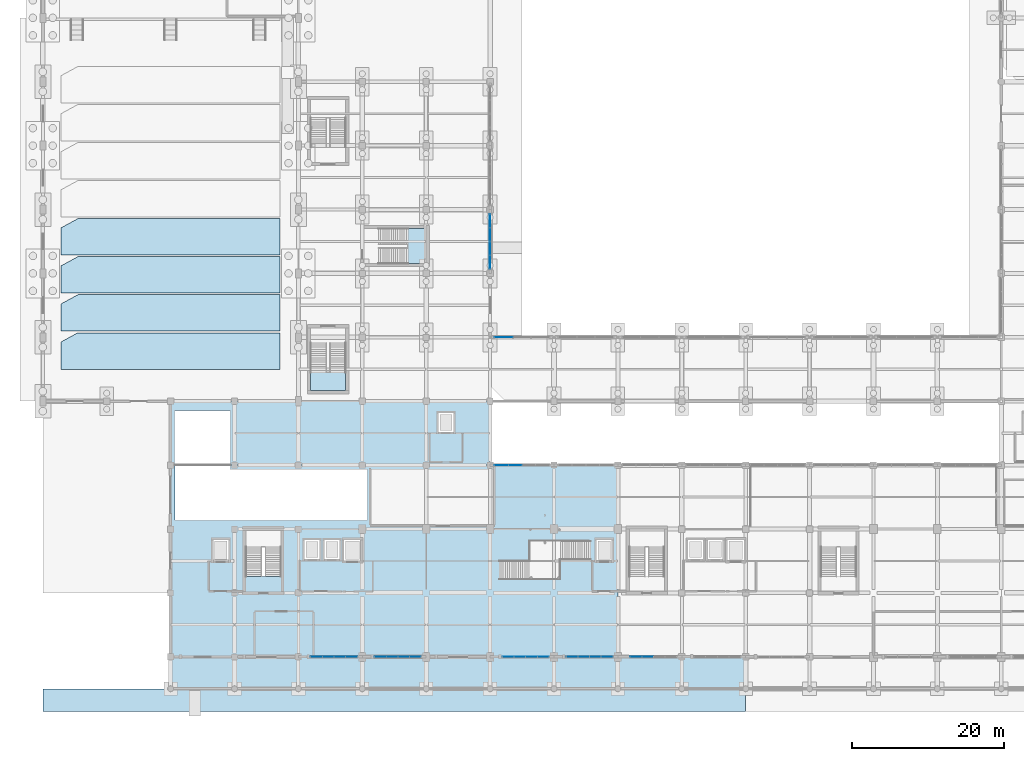
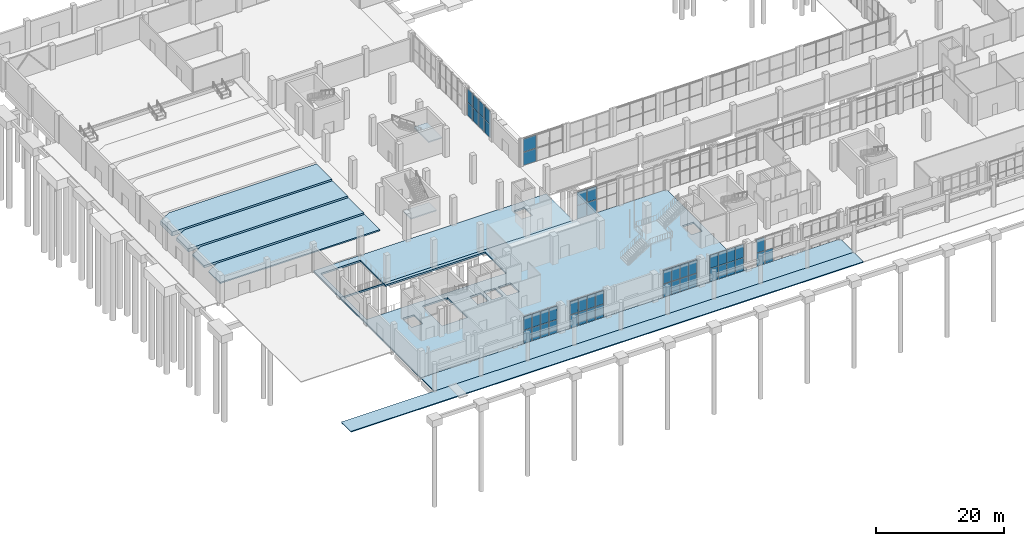
# One storey, part 54 of 82: 49 plates, 10 slabs, 10 elements without a shape of their own.
"""IFC4 building model written with IfcOpenShell, lengths in metres."""

from ifc_helpers import new_model, si_unit, derived_unit, direction, frame, origin, origin_2d, place, context, subcontext, project, spatial, polyline, rectangle, outline, extrude, material, layer, layer_set, type_object, element, aggregate, save


model = new_model("IFC4")

# Units and contexts
model_context = context("Model", 3, precision=1e-05, world=origin(), true_north=direction((0.0, 1.0)))
body_context = subcontext(model_context, "Body", "Model", "MODEL_VIEW")
ifc_project = project(units=[si_unit("LENGTHUNIT", "METRE"), si_unit("AREAUNIT", "SQUARE_METRE"), si_unit("VOLUMEUNIT", "CUBIC_METRE"), si_unit("PLANEANGLEUNIT", "RADIAN"), si_unit("MASSUNIT", "GRAM", prefix="KILO"), derived_unit("THERMALTRANSMITTANCEUNIT", [(si_unit("POWERUNIT", "WATT"), 1), (si_unit("LENGTHUNIT", "METRE"), -2), (si_unit("THERMODYNAMICTEMPERATUREUNIT", "KELVIN"), -1)])], contexts=[model_context])

# Site, building, storey
site_placement = place(None, origin())
site = spatial("IfcSite", under=ifc_project, at=site_placement, CompositionType="ELEMENT")
building_placement = place(site_placement, origin())
building = spatial("IfcBuilding", under=site, at=building_placement, Name="Barrovel Congress Hotel", CompositionType="ELEMENT")
storey_placement = place(building_placement, origin())
storey = spatial("IfcBuildingStorey", under=building, at=storey_placement, Name="L00", CompositionType="ELEMENT", Elevation=0.0)

# Curtain wall, plates
ifc_material_1 = material(Name="Anodised Aluminium Alloy 6063-T6", Category="aluminium")
curtain_wall_type_1 = type_object("IfcCurtainWallType", Name="CW-ST-7200x4800", PredefinedType="USERDEFINED", material=ifc_material_1)
curtain_wall_1_placement = place(storey_placement, origin())
curtain_wall_1 = element("IfcCurtainWall", 1, at=curtain_wall_1_placement, inside=storey, type_object=curtain_wall_type_1, Name="CW:L00:S:04", ObjectType="STICK CURTAIN WALL", PredefinedType="USERDEFINED")
ifc_material_2 = material(Name="Double Low-E Insulated Glazing", Category="glass")
ifc_layer_1 = layer(ifc_material_2, 0.028076171875)
ifc_layer_set_1 = layer_set([ifc_layer_1], Name="Double Low-E Insulated Glazing")
plate_type_1 = type_object("IfcPlateType", Name="CWP-28", PredefinedType="CURTAIN_PANEL", material=ifc_layer_set_1)
plate_1_placement = place(storey_placement, frame((35.985107421875, 4.199951171875, 0.030029296875), z_axis=(0.0, 0.0, 1.0), x_axis=(1.0, 0.0, 0.0)))
plate_1 = element("IfcPlate", 2, at=plate_1_placement, type_object=plate_type_1, Name="CW:L00:S:04:P0-0", PredefinedType="CURTAIN_PANEL", context=body_context, shape_type="SweptSolid", body=[
    extrude(rectangle(XDim=1.469970703125, YDim=0.028076171875, at=origin_2d()), origin(), (0.0, 0.0, 1.0), 2.5),
])
plate_2_placement = place(storey_placement, frame((35.985107421875, 4.199951171875, 2.590087890625), z_axis=(0.0, 0.0, 1.0), x_axis=(1.0, 0.0, 0.0)))
plate_2 = element("IfcPlate", 3, at=plate_2_placement, type_object=plate_type_1, Name="CW:L00:S:04:P0-1", PredefinedType="CURTAIN_PANEL", context=body_context, shape_type="SweptSolid", body=[
    extrude(rectangle(XDim=1.469970703125, YDim=0.028076171875, at=origin_2d()), origin(), (0.0, 0.0, 1.0), 2.5),
])
plate_3_placement = place(storey_placement, frame((37.514892578125, 4.199951171875, 0.030029296875), z_axis=(0.0, 0.0, 1.0), x_axis=(1.0, 0.0, 0.0)))
plate_3 = element("IfcPlate", 4, at=plate_3_placement, type_object=plate_type_1, Name="CW:L00:S:04:P1-0", PredefinedType="CURTAIN_PANEL", context=body_context, shape_type="SweptSolid", body=[
    extrude(rectangle(XDim=1.469970703125, YDim=0.028076171875, at=origin_2d()), origin(), (0.0, 0.0, 1.0), 2.5),
])
plate_4_placement = place(storey_placement, frame((37.514892578125, 4.199951171875, 2.590087890625), z_axis=(0.0, 0.0, 1.0), x_axis=(1.0, 0.0, 0.0)))
plate_4 = element("IfcPlate", 5, at=plate_4_placement, type_object=plate_type_1, Name="CW:L00:S:04:P1-1", PredefinedType="CURTAIN_PANEL", context=body_context, shape_type="SweptSolid", body=[
    extrude(rectangle(XDim=1.469970703125, YDim=0.028076171875, at=origin_2d()), origin(), (0.0, 0.0, 1.0), 2.5),
])
plate_5_placement = place(storey_placement, frame((39.044921875, 4.199951171875, 0.030029296875), z_axis=(0.0, 0.0, 1.0), x_axis=(1.0, 0.0, 0.0)))
plate_5 = element("IfcPlate", 6, at=plate_5_placement, type_object=plate_type_1, Name="CW:L00:S:04:P2-0", PredefinedType="CURTAIN_PANEL", context=body_context, shape_type="SweptSolid", body=[
    extrude(rectangle(XDim=1.469970703125, YDim=0.028076171875, at=origin_2d()), origin(), (0.0, 0.0, 1.0), 2.5),
])
plate_6_placement = place(storey_placement, frame((39.044921875, 4.199951171875, 2.590087890625), z_axis=(0.0, 0.0, 1.0), x_axis=(1.0, 0.0, 0.0)))
plate_6 = element("IfcPlate", 7, at=plate_6_placement, type_object=plate_type_1, Name="CW:L00:S:04:P2-1", PredefinedType="CURTAIN_PANEL", context=body_context, shape_type="SweptSolid", body=[
    extrude(rectangle(XDim=1.469970703125, YDim=0.028076171875, at=origin_2d()), origin(), (0.0, 0.0, 1.0), 2.5),
])
plate_7_placement = place(storey_placement, frame((40.574951171875, 4.199951171875, 0.030029296875), z_axis=(0.0, 0.0, 1.0), x_axis=(1.0, 0.0, 0.0)))
plate_7 = element("IfcPlate", 8, at=plate_7_placement, type_object=plate_type_1, Name="CW:L00:S:04:P3-0", PredefinedType="CURTAIN_PANEL", context=body_context, shape_type="SweptSolid", body=[
    extrude(rectangle(XDim=1.469970703125, YDim=0.028076171875, at=origin_2d()), origin(), (0.0, 0.0, 1.0), 2.5),
])
plate_8_placement = place(storey_placement, frame((40.574951171875, 4.199951171875, 2.590087890625), z_axis=(0.0, 0.0, 1.0), x_axis=(1.0, 0.0, 0.0)))
plate_8 = element("IfcPlate", 9, at=plate_8_placement, type_object=plate_type_1, Name="CW:L00:S:04:P3-1", PredefinedType="CURTAIN_PANEL", context=body_context, shape_type="SweptSolid", body=[
    extrude(rectangle(XDim=1.469970703125, YDim=0.028076171875, at=origin_2d()), origin(), (0.0, 0.0, 1.0), 2.5),
])
aggregate(curtain_wall_1, [plate_1, plate_2, plate_3, plate_4, plate_5, plate_6, plate_7, plate_8])

curtain_wall_2_placement = place(storey_placement, origin())
curtain_wall_2 = element("IfcCurtainWall", 10, at=curtain_wall_2_placement, inside=storey, type_object=curtain_wall_type_1, Name="CW:L00:S:07", ObjectType="STICK CURTAIN WALL", PredefinedType="USERDEFINED")
plate_9_placement = place(storey_placement, frame((61.18505859375, 4.199951171875, 0.030029296875), z_axis=(0.0, 0.0, 1.0), x_axis=(1.0, 0.0, 0.0)))
plate_9 = element("IfcPlate", 11, at=plate_9_placement, type_object=plate_type_1, Name="CW:L00:S:07:P0-0", PredefinedType="CURTAIN_PANEL", context=body_context, shape_type="SweptSolid", body=[
    extrude(rectangle(XDim=1.469970703125, YDim=0.028076171875, at=origin_2d()), origin(), (0.0, 0.0, 1.0), 2.5),
])
plate_10_placement = place(storey_placement, frame((61.18505859375, 4.199951171875, 2.590087890625), z_axis=(0.0, 0.0, 1.0), x_axis=(1.0, 0.0, 0.0)))
plate_10 = element("IfcPlate", 12, at=plate_10_placement, type_object=plate_type_1, Name="CW:L00:S:07:P0-1", PredefinedType="CURTAIN_PANEL", context=body_context, shape_type="SweptSolid", body=[
    extrude(rectangle(XDim=1.469970703125, YDim=0.028076171875, at=origin_2d()), origin(), (0.0, 0.0, 1.0), 2.5),
])
plate_11_placement = place(storey_placement, frame((62.715087890625, 4.199951171875, 0.030029296875), z_axis=(0.0, 0.0, 1.0), x_axis=(1.0, 0.0, 0.0)))
plate_11 = element("IfcPlate", 13, at=plate_11_placement, type_object=plate_type_1, Name="CW:L00:S:07:P1-0", PredefinedType="CURTAIN_PANEL", context=body_context, shape_type="SweptSolid", body=[
    extrude(rectangle(XDim=1.469970703125, YDim=0.028076171875, at=origin_2d()), origin(), (0.0, 0.0, 1.0), 2.5),
])
plate_12_placement = place(storey_placement, frame((62.715087890625, 4.199951171875, 2.590087890625), z_axis=(0.0, 0.0, 1.0), x_axis=(1.0, 0.0, 0.0)))
plate_12 = element("IfcPlate", 14, at=plate_12_placement, type_object=plate_type_1, Name="CW:L00:S:07:P1-1", PredefinedType="CURTAIN_PANEL", context=body_context, shape_type="SweptSolid", body=[
    extrude(rectangle(XDim=1.469970703125, YDim=0.028076171875, at=origin_2d()), origin(), (0.0, 0.0, 1.0), 2.5),
])
plate_13_placement = place(storey_placement, frame((64.2451171875, 4.199951171875, 0.030029296875), z_axis=(0.0, 0.0, 1.0), x_axis=(1.0, 0.0, 0.0)))
plate_13 = element("IfcPlate", 15, at=plate_13_placement, type_object=plate_type_1, Name="CW:L00:S:07:P2-0", PredefinedType="CURTAIN_PANEL", context=body_context, shape_type="SweptSolid", body=[
    extrude(rectangle(XDim=1.469970703125, YDim=0.028076171875, at=origin_2d()), origin(), (0.0, 0.0, 1.0), 2.5),
])
plate_14_placement = place(storey_placement, frame((64.2451171875, 4.199951171875, 2.590087890625), z_axis=(0.0, 0.0, 1.0), x_axis=(1.0, 0.0, 0.0)))
plate_14 = element("IfcPlate", 16, at=plate_14_placement, type_object=plate_type_1, Name="CW:L00:S:07:P2-1", PredefinedType="CURTAIN_PANEL", context=body_context, shape_type="SweptSolid", body=[
    extrude(rectangle(XDim=1.469970703125, YDim=0.028076171875, at=origin_2d()), origin(), (0.0, 0.0, 1.0), 2.5),
])
plate_15_placement = place(storey_placement, frame((65.77490234375, 4.199951171875, 0.030029296875), z_axis=(0.0, 0.0, 1.0), x_axis=(1.0, 0.0, 0.0)))
plate_15 = element("IfcPlate", 17, at=plate_15_placement, type_object=plate_type_1, Name="CW:L00:S:07:P3-0", PredefinedType="CURTAIN_PANEL", context=body_context, shape_type="SweptSolid", body=[
    extrude(rectangle(XDim=1.469970703125, YDim=0.028076171875, at=origin_2d()), origin(), (0.0, 0.0, 1.0), 2.5),
])
plate_16_placement = place(storey_placement, frame((65.77490234375, 4.199951171875, 2.590087890625), z_axis=(0.0, 0.0, 1.0), x_axis=(1.0, 0.0, 0.0)))
plate_16 = element("IfcPlate", 18, at=plate_16_placement, type_object=plate_type_1, Name="CW:L00:S:07:P3-1", PredefinedType="CURTAIN_PANEL", context=body_context, shape_type="SweptSolid", body=[
    extrude(rectangle(XDim=1.469970703125, YDim=0.028076171875, at=origin_2d()), origin(), (0.0, 0.0, 1.0), 2.5),
])
aggregate(curtain_wall_2, [plate_9, plate_10, plate_11, plate_12, plate_13, plate_14, plate_15, plate_16])

curtain_wall_3_placement = place(storey_placement, origin())
curtain_wall_3 = element("IfcCurtainWall", 19, at=curtain_wall_3_placement, inside=storey, type_object=curtain_wall_type_1, Name="CW:L00:S:09", ObjectType="STICK CURTAIN WALL", PredefinedType="USERDEFINED")
plate_17_placement = place(storey_placement, frame((77.985107421875, 4.199951171875, 0.030029296875), z_axis=(0.0, 0.0, 1.0), x_axis=(1.0, 0.0, 0.0)))
plate_17 = element("IfcPlate", 20, at=plate_17_placement, type_object=plate_type_1, Name="CW:L00:S:09:P0-0", PredefinedType="CURTAIN_PANEL", context=body_context, shape_type="SweptSolid", body=[
    extrude(rectangle(XDim=1.469970703125, YDim=0.028076171875, at=origin_2d()), origin(), (0.0, 0.0, 1.0), 2.5),
])
plate_18_placement = place(storey_placement, frame((77.985107421875, 4.199951171875, 2.590087890625), z_axis=(0.0, 0.0, 1.0), x_axis=(1.0, 0.0, 0.0)))
plate_18 = element("IfcPlate", 21, at=plate_18_placement, type_object=plate_type_1, Name="CW:L00:S:09:P0-1", PredefinedType="CURTAIN_PANEL", context=body_context, shape_type="SweptSolid", body=[
    extrude(rectangle(XDim=1.469970703125, YDim=0.028076171875, at=origin_2d()), origin(), (0.0, 0.0, 1.0), 2.5),
])
plate_19_placement = place(storey_placement, frame((79.514892578125, 4.199951171875, 0.030029296875), z_axis=(0.0, 0.0, 1.0), x_axis=(1.0, 0.0, 0.0)))
plate_19 = element("IfcPlate", 22, at=plate_19_placement, type_object=plate_type_1, Name="CW:L00:S:09:P1-0", PredefinedType="CURTAIN_PANEL", context=body_context, shape_type="SweptSolid", body=[
    extrude(rectangle(XDim=1.469970703125, YDim=0.028076171875, at=origin_2d()), origin(), (0.0, 0.0, 1.0), 2.5),
])
aggregate(curtain_wall_3, [plate_17, plate_18, plate_19])

curtain_wall_4_placement = place(storey_placement, origin())
curtain_wall_4 = element("IfcCurtainWall", 23, at=curtain_wall_4_placement, inside=storey, type_object=curtain_wall_type_1, Name="CW:L00:CS:07", ObjectType="STICK CURTAIN WALL", PredefinedType="USERDEFINED")
plate_20_placement = place(storey_placement, frame((62.10009765625, 29.39990234375, 0.030029296875), z_axis=(0.0, 0.0, 1.0), x_axis=(-1.0, 0.0, 0.0)))
plate_20 = element("IfcPlate", 24, at=plate_20_placement, type_object=plate_type_1, Name="CW:L00:CS:07:P2-0", PredefinedType="CURTAIN_PANEL", context=body_context, shape_type="SweptSolid", body=[
    extrude(rectangle(XDim=1.739990234375, YDim=0.028076171875, at=origin_2d()), origin(), (0.0, 0.0, 1.0), 2.5),
])
plate_21_placement = place(storey_placement, frame((62.10009765625, 29.39990234375, 2.590087890625), z_axis=(0.0, 0.0, 1.0), x_axis=(-1.0, 0.0, 0.0)))
plate_21 = element("IfcPlate", 25, at=plate_21_placement, type_object=plate_type_1, Name="CW:L00:CS:07:P2-1", PredefinedType="CURTAIN_PANEL", context=body_context, shape_type="SweptSolid", body=[
    extrude(rectangle(XDim=1.739990234375, YDim=0.028076171875, at=origin_2d()), origin(), (0.0, 0.0, 1.0), 2.5),
])
plate_22_placement = place(storey_placement, frame((60.300048828125, 29.39990234375, 0.030029296875), z_axis=(0.0, 0.0, 1.0), x_axis=(-1.0, 0.0, 0.0)))
plate_22 = element("IfcPlate", 26, at=plate_22_placement, type_object=plate_type_1, Name="CW:L00:CS:07:P3-0", PredefinedType="CURTAIN_PANEL", context=body_context, shape_type="SweptSolid", body=[
    extrude(rectangle(XDim=1.739990234375, YDim=0.028076171875, at=origin_2d()), origin(), (0.0, 0.0, 1.0), 2.5),
])
plate_23_placement = place(storey_placement, frame((60.300048828125, 29.39990234375, 2.590087890625), z_axis=(0.0, 0.0, 1.0), x_axis=(-1.0, 0.0, 0.0)))
plate_23 = element("IfcPlate", 27, at=plate_23_placement, type_object=plate_type_1, Name="CW:L00:CS:07:P3-1", PredefinedType="CURTAIN_PANEL", context=body_context, shape_type="SweptSolid", body=[
    extrude(rectangle(XDim=1.739990234375, YDim=0.028076171875, at=origin_2d()), origin(), (0.0, 0.0, 1.0), 2.5),
])
aggregate(curtain_wall_4, [plate_20, plate_21, plate_22, plate_23])

curtain_wall_type_2 = type_object("IfcCurtainWallType", Name="CW-ST-6400x4200", PredefinedType="USERDEFINED", material=ifc_material_1)
curtain_wall_5_placement = place(storey_placement, origin())
curtain_wall_5 = element("IfcCurtainWall", 28, at=curtain_wall_5_placement, inside=storey, type_object=curtain_wall_type_2, Name="CW:L00:CL:07", ObjectType="STICK CURTAIN WALL", PredefinedType="USERDEFINED")
plate_24_placement = place(storey_placement, frame((60.60009765625, 46.199951171875, 0.030029296875), z_axis=(0.0, 0.0, 1.0), x_axis=(-1.0, 0.0, 0.0)))
plate_24 = element("IfcPlate", 29, at=plate_24_placement, type_object=plate_type_1, Name="CW:L00:CL:07:P2-0", PredefinedType="CURTAIN_PANEL", context=body_context, shape_type="SweptSolid", body=[
    extrude(rectangle(XDim=2.340087890625, YDim=0.028076171875, at=origin_2d()), origin(), (0.0, 0.0, 1.0), 2.5),
])
plate_25_placement = place(storey_placement, frame((60.60009765625, 46.199951171875, 2.590087890625), z_axis=(0.0, 0.0, 1.0), x_axis=(-1.0, 0.0, 0.0)))
plate_25 = element("IfcPlate", 30, at=plate_25_placement, type_object=plate_type_1, Name="CW:L00:CL:07:P2-1", PredefinedType="CURTAIN_PANEL", context=body_context, shape_type="SweptSolid", body=[
    extrude(rectangle(XDim=2.340087890625, YDim=0.028076171875, at=origin_2d()), origin(), (0.0, 0.0, 1.0), 2.5),
])
aggregate(curtain_wall_5, [plate_24, plate_25])

curtain_wall_6_placement = place(storey_placement, origin())
curtain_wall_6 = element("IfcCurtainWall", 31, at=curtain_wall_6_placement, inside=storey, type_object=curtain_wall_type_1, Name="CW:L00:S:05", ObjectType="STICK CURTAIN WALL", PredefinedType="USERDEFINED")
ifc_layer_2 = layer(ifc_material_2, 0.031982421875)
ifc_layer_set_2 = layer_set([ifc_layer_2], Name="Double Low-E Insulated Glazing")
plate_type_2 = type_object("IfcPlateType", Name="CWP-32", PredefinedType="CURTAIN_PANEL", material=ifc_layer_set_2)
plate_26_placement = place(storey_placement, frame((44.385009765625, 4.199951171875, 0.030029296875), z_axis=(0.0, 0.0, 1.0), x_axis=(1.0, 0.0, 0.0)))
plate_26 = element("IfcPlate", 32, at=plate_26_placement, type_object=plate_type_2, Name="CW:L00:S:05:P0-0", PredefinedType="CURTAIN_PANEL", context=body_context, shape_type="SweptSolid", body=[
    extrude(rectangle(XDim=1.469970703125, YDim=0.031982421875, at=origin_2d()), origin(), (0.0, 0.0, 1.0), 2.5),
])
plate_27_placement = place(storey_placement, frame((44.385009765625, 4.199951171875, 2.590087890625), z_axis=(0.0, 0.0, 1.0), x_axis=(1.0, 0.0, 0.0)))
plate_27 = element("IfcPlate", 33, at=plate_27_placement, type_object=plate_type_2, Name="CW:L00:S:05:P0-1", PredefinedType="CURTAIN_PANEL", context=body_context, shape_type="SweptSolid", body=[
    extrude(rectangle(XDim=1.469970703125, YDim=0.031982421875, at=origin_2d()), origin(), (0.0, 0.0, 1.0), 2.5),
])
plate_28_placement = place(storey_placement, frame((45.9150390625, 4.199951171875, 0.030029296875), z_axis=(0.0, 0.0, 1.0), x_axis=(1.0, 0.0, 0.0)))
plate_28 = element("IfcPlate", 34, at=plate_28_placement, type_object=plate_type_2, Name="CW:L00:S:05:P1-0", PredefinedType="CURTAIN_PANEL", context=body_context, shape_type="SweptSolid", body=[
    extrude(rectangle(XDim=1.469970703125, YDim=0.031982421875, at=origin_2d()), origin(), (0.0, 0.0, 1.0), 2.5),
])
plate_29_placement = place(storey_placement, frame((45.9150390625, 4.199951171875, 2.590087890625), z_axis=(0.0, 0.0, 1.0), x_axis=(1.0, 0.0, 0.0)))
plate_29 = element("IfcPlate", 35, at=plate_29_placement, type_object=plate_type_2, Name="CW:L00:S:05:P1-1", PredefinedType="CURTAIN_PANEL", context=body_context, shape_type="SweptSolid", body=[
    extrude(rectangle(XDim=1.469970703125, YDim=0.031982421875, at=origin_2d()), origin(), (0.0, 0.0, 1.0), 2.5),
])
plate_30_placement = place(storey_placement, frame((47.445068359375, 4.199951171875, 0.030029296875), z_axis=(0.0, 0.0, 1.0), x_axis=(1.0, 0.0, 0.0)))
plate_30 = element("IfcPlate", 36, at=plate_30_placement, type_object=plate_type_2, Name="CW:L00:S:05:P2-0", PredefinedType="CURTAIN_PANEL", context=body_context, shape_type="SweptSolid", body=[
    extrude(rectangle(XDim=1.469970703125, YDim=0.031982421875, at=origin_2d()), origin(), (0.0, 0.0, 1.0), 2.5),
])
plate_31_placement = place(storey_placement, frame((47.445068359375, 4.199951171875, 2.590087890625), z_axis=(0.0, 0.0, 1.0), x_axis=(1.0, 0.0, 0.0)))
plate_31 = element("IfcPlate", 37, at=plate_31_placement, type_object=plate_type_2, Name="CW:L00:S:05:P2-1", PredefinedType="CURTAIN_PANEL", context=body_context, shape_type="SweptSolid", body=[
    extrude(rectangle(XDim=1.469970703125, YDim=0.031982421875, at=origin_2d()), origin(), (0.0, 0.0, 1.0), 2.5),
])
plate_32_placement = place(storey_placement, frame((48.97509765625, 4.199951171875, 0.030029296875), z_axis=(0.0, 0.0, 1.0), x_axis=(1.0, 0.0, 0.0)))
plate_32 = element("IfcPlate", 38, at=plate_32_placement, type_object=plate_type_2, Name="CW:L00:S:05:P3-0", PredefinedType="CURTAIN_PANEL", context=body_context, shape_type="SweptSolid", body=[
    extrude(rectangle(XDim=1.469970703125, YDim=0.031982421875, at=origin_2d()), origin(), (0.0, 0.0, 1.0), 2.5),
])
plate_33_placement = place(storey_placement, frame((48.97509765625, 4.199951171875, 2.590087890625), z_axis=(0.0, 0.0, 1.0), x_axis=(1.0, 0.0, 0.0)))
plate_33 = element("IfcPlate", 39, at=plate_33_placement, type_object=plate_type_2, Name="CW:L00:S:05:P3-1", PredefinedType="CURTAIN_PANEL", context=body_context, shape_type="SweptSolid", body=[
    extrude(rectangle(XDim=1.469970703125, YDim=0.031982421875, at=origin_2d()), origin(), (0.0, 0.0, 1.0), 2.5),
])
aggregate(curtain_wall_6, [plate_26, plate_27, plate_28, plate_29, plate_30, plate_31, plate_32, plate_33])

curtain_wall_7_placement = place(storey_placement, origin())
curtain_wall_7 = element("IfcCurtainWall", 40, at=curtain_wall_7_placement, inside=storey, type_object=curtain_wall_type_1, Name="CW:L00:S:08", ObjectType="STICK CURTAIN WALL", PredefinedType="USERDEFINED")
plate_34_placement = place(storey_placement, frame((69.5849609375, 4.199951171875, 0.030029296875), z_axis=(0.0, 0.0, 1.0), x_axis=(1.0, 0.0, 0.0)))
plate_34 = element("IfcPlate", 41, at=plate_34_placement, type_object=plate_type_2, Name="CW:L00:S:08:P0-0", PredefinedType="CURTAIN_PANEL", context=body_context, shape_type="SweptSolid", body=[
    extrude(rectangle(XDim=1.469970703125, YDim=0.031982421875, at=origin_2d()), origin(), (0.0, 0.0, 1.0), 2.5),
])
plate_35_placement = place(storey_placement, frame((69.5849609375, 4.199951171875, 2.590087890625), z_axis=(0.0, 0.0, 1.0), x_axis=(1.0, 0.0, 0.0)))
plate_35 = element("IfcPlate", 42, at=plate_35_placement, type_object=plate_type_2, Name="CW:L00:S:08:P0-1", PredefinedType="CURTAIN_PANEL", context=body_context, shape_type="SweptSolid", body=[
    extrude(rectangle(XDim=1.469970703125, YDim=0.031982421875, at=origin_2d()), origin(), (0.0, 0.0, 1.0), 2.5),
])
plate_36_placement = place(storey_placement, frame((71.114990234375, 4.199951171875, 0.030029296875), z_axis=(0.0, 0.0, 1.0), x_axis=(1.0, 0.0, 0.0)))
plate_36 = element("IfcPlate", 43, at=plate_36_placement, type_object=plate_type_2, Name="CW:L00:S:08:P1-0", PredefinedType="CURTAIN_PANEL", context=body_context, shape_type="SweptSolid", body=[
    extrude(rectangle(XDim=1.469970703125, YDim=0.031982421875, at=origin_2d()), origin(), (0.0, 0.0, 1.0), 2.5),
])
plate_37_placement = place(storey_placement, frame((71.114990234375, 4.199951171875, 2.590087890625), z_axis=(0.0, 0.0, 1.0), x_axis=(1.0, 0.0, 0.0)))
plate_37 = element("IfcPlate", 44, at=plate_37_placement, type_object=plate_type_2, Name="CW:L00:S:08:P1-1", PredefinedType="CURTAIN_PANEL", context=body_context, shape_type="SweptSolid", body=[
    extrude(rectangle(XDim=1.469970703125, YDim=0.031982421875, at=origin_2d()), origin(), (0.0, 0.0, 1.0), 2.5),
])
plate_38_placement = place(storey_placement, frame((72.64501953125, 4.199951171875, 0.030029296875), z_axis=(0.0, 0.0, 1.0), x_axis=(1.0, 0.0, 0.0)))
plate_38 = element("IfcPlate", 45, at=plate_38_placement, type_object=plate_type_2, Name="CW:L00:S:08:P2-0", PredefinedType="CURTAIN_PANEL", context=body_context, shape_type="SweptSolid", body=[
    extrude(rectangle(XDim=1.469970703125, YDim=0.031982421875, at=origin_2d()), origin(), (0.0, 0.0, 1.0), 2.5),
])
plate_39_placement = place(storey_placement, frame((72.64501953125, 4.199951171875, 2.590087890625), z_axis=(0.0, 0.0, 1.0), x_axis=(1.0, 0.0, 0.0)))
plate_39 = element("IfcPlate", 46, at=plate_39_placement, type_object=plate_type_2, Name="CW:L00:S:08:P2-1", PredefinedType="CURTAIN_PANEL", context=body_context, shape_type="SweptSolid", body=[
    extrude(rectangle(XDim=1.469970703125, YDim=0.031982421875, at=origin_2d()), origin(), (0.0, 0.0, 1.0), 2.5),
])
plate_40_placement = place(storey_placement, frame((74.175048828125, 4.199951171875, 0.030029296875), z_axis=(0.0, 0.0, 1.0), x_axis=(1.0, 0.0, 0.0)))
plate_40 = element("IfcPlate", 47, at=plate_40_placement, type_object=plate_type_2, Name="CW:L00:S:08:P3-0", PredefinedType="CURTAIN_PANEL", context=body_context, shape_type="SweptSolid", body=[
    extrude(rectangle(XDim=1.469970703125, YDim=0.031982421875, at=origin_2d()), origin(), (0.0, 0.0, 1.0), 2.5),
])
plate_41_placement = place(storey_placement, frame((74.175048828125, 4.199951171875, 2.590087890625), z_axis=(0.0, 0.0, 1.0), x_axis=(1.0, 0.0, 0.0)))
plate_41 = element("IfcPlate", 48, at=plate_41_placement, type_object=plate_type_2, Name="CW:L00:S:08:P3-1", PredefinedType="CURTAIN_PANEL", context=body_context, shape_type="SweptSolid", body=[
    extrude(rectangle(XDim=1.469970703125, YDim=0.031982421875, at=origin_2d()), origin(), (0.0, 0.0, 1.0), 2.5),
])
aggregate(curtain_wall_7, [plate_34, plate_35, plate_36, plate_37, plate_38, plate_39, plate_40, plate_41])

curtain_wall_type_3 = type_object("IfcCurtainWallType", Name="CW-ST-7200x3600", PredefinedType="USERDEFINED", material=ifc_material_1)
curtain_wall_8_placement = place(storey_placement, origin())
curtain_wall_8 = element("IfcCurtainWall", 49, at=curtain_wall_8_placement, inside=storey, type_object=curtain_wall_type_3, Name="CW:L00:CW:54.6", ObjectType="STICK CURTAIN WALL", PredefinedType="USERDEFINED")
plate_42_placement = place(storey_placement, frame((58.800048828125, 56.10009765625, 0.030029296875), z_axis=(0.0, 0.0, 1.0), x_axis=(0.0, 1.0, 0.0)))
plate_42 = element("IfcPlate", 50, at=plate_42_placement, type_object=plate_type_2, Name="CW:L00:CW:54.6:P0-0", PredefinedType="CURTAIN_PANEL", context=body_context, shape_type="SweptSolid", body=[
    extrude(rectangle(XDim=1.739990234375, YDim=0.031982421875, at=origin_2d()), origin(), (0.0, 0.0, 1.0), 2.5),
])
plate_43_placement = place(storey_placement, frame((58.800048828125, 56.10009765625, 2.590087890625), z_axis=(0.0, 0.0, 1.0), x_axis=(0.0, 1.0, 0.0)))
plate_43 = element("IfcPlate", 51, at=plate_43_placement, type_object=plate_type_2, Name="CW:L00:CW:54.6:P0-1", PredefinedType="CURTAIN_PANEL", context=body_context, shape_type="SweptSolid", body=[
    extrude(rectangle(XDim=1.739990234375, YDim=0.031982421875, at=origin_2d()), origin(), (0.0, 0.0, 1.0), 2.5),
])
plate_44_placement = place(storey_placement, frame((58.800048828125, 57.89990234375, 0.030029296875), z_axis=(0.0, 0.0, 1.0), x_axis=(0.0, 1.0, 0.0)))
plate_44 = element("IfcPlate", 52, at=plate_44_placement, type_object=plate_type_2, Name="CW:L00:CW:54.6:P1-0", PredefinedType="CURTAIN_PANEL", context=body_context, shape_type="SweptSolid", body=[
    extrude(rectangle(XDim=1.739990234375, YDim=0.031982421875, at=origin_2d()), origin(), (0.0, 0.0, 1.0), 2.5),
])
plate_45_placement = place(storey_placement, frame((58.800048828125, 57.89990234375, 2.590087890625), z_axis=(0.0, 0.0, 1.0), x_axis=(0.0, 1.0, 0.0)))
plate_45 = element("IfcPlate", 53, at=plate_45_placement, type_object=plate_type_2, Name="CW:L00:CW:54.6:P1-1", PredefinedType="CURTAIN_PANEL", context=body_context, shape_type="SweptSolid", body=[
    extrude(rectangle(XDim=1.739990234375, YDim=0.031982421875, at=origin_2d()), origin(), (0.0, 0.0, 1.0), 2.5),
])
plate_46_placement = place(storey_placement, frame((58.800048828125, 59.699951171875, 0.030029296875), z_axis=(0.0, 0.0, 1.0), x_axis=(0.0, 1.0, 0.0)))
plate_46 = element("IfcPlate", 54, at=plate_46_placement, type_object=plate_type_2, Name="CW:L00:CW:54.6:P2-0", PredefinedType="CURTAIN_PANEL", context=body_context, shape_type="SweptSolid", body=[
    extrude(rectangle(XDim=1.739990234375, YDim=0.031982421875, at=origin_2d()), origin(), (0.0, 0.0, 1.0), 2.5),
])
plate_47_placement = place(storey_placement, frame((58.800048828125, 59.699951171875, 2.590087890625), z_axis=(0.0, 0.0, 1.0), x_axis=(0.0, 1.0, 0.0)))
plate_47 = element("IfcPlate", 55, at=plate_47_placement, type_object=plate_type_2, Name="CW:L00:CW:54.6:P2-1", PredefinedType="CURTAIN_PANEL", context=body_context, shape_type="SweptSolid", body=[
    extrude(rectangle(XDim=1.739990234375, YDim=0.031982421875, at=origin_2d()), origin(), (0.0, 0.0, 1.0), 2.5),
])
plate_48_placement = place(storey_placement, frame((58.800048828125, 61.5, 0.030029296875), z_axis=(0.0, 0.0, 1.0), x_axis=(0.0, 1.0, 0.0)))
plate_48 = element("IfcPlate", 56, at=plate_48_placement, type_object=plate_type_2, Name="CW:L00:CW:54.6:P3-0", PredefinedType="CURTAIN_PANEL", context=body_context, shape_type="SweptSolid", body=[
    extrude(rectangle(XDim=1.739990234375, YDim=0.031982421875, at=origin_2d()), origin(), (0.0, 0.0, 1.0), 2.5),
])
plate_49_placement = place(storey_placement, frame((58.800048828125, 61.5, 2.590087890625), z_axis=(0.0, 0.0, 1.0), x_axis=(0.0, 1.0, 0.0)))
plate_49 = element("IfcPlate", 57, at=plate_49_placement, type_object=plate_type_2, Name="CW:L00:CW:54.6:P3-1", PredefinedType="CURTAIN_PANEL", context=body_context, shape_type="SweptSolid", body=[
    extrude(rectangle(XDim=1.739990234375, YDim=0.031982421875, at=origin_2d()), origin(), (0.0, 0.0, 1.0), 2.5),
])
aggregate(curtain_wall_8, [plate_42, plate_43, plate_44, plate_45, plate_46, plate_47, plate_48, plate_49])

# Slabs
ifc_material_3 = material(Name="Concrete C35", Category="concrete")
ifc_layer_3 = layer(ifc_material_3, 0.320068359375)
ifc_layer_set_3 = layer_set([ifc_layer_3], Name="Concrete C35")
slab_type_1 = type_object("IfcSlabType", Name="SL-B320", PredefinedType="BASESLAB", material=ifc_layer_set_3)
slab_1_placement = place(storey_placement, frame((0.0, 0.0, -0.320068359375)))
element("IfcSlab", 58, at=slab_1_placement, inside=storey, type_object=slab_type_1, Name="SLAB:L00:V4-1", PredefinedType="BASESLAB", context=body_context, shape_type="SweptSolid", body=[
    extrude(outline(polyline([(16.800048828125, 4.199951171875), (75.60009765625, 4.199951171875), (75.60009765625, 29.39990234375), (16.800048828125, 29.39990234375), (16.800048828125, 4.199951171875)]), holes=[polyline([(26.699951171875, 14.780029296875), (26.699951171875, 21.0), (31.300048828125, 21.0), (31.300048828125, 14.780029296875), (26.699951171875, 14.780029296875)]), polyline([(22.39990234375, 16.800048828125), (22.39990234375, 19.60009765625), (24.39990234375, 19.60009765625), (24.39990234375, 16.800048828125), (22.39990234375, 16.800048828125)]), polyline([(39.60009765625, 16.800048828125), (39.60009765625, 19.60009765625), (41.800048828125, 19.60009765625), (41.800048828125, 16.800048828125), (39.60009765625, 16.800048828125)]), polyline([(72.800048828125, 16.800048828125), (72.800048828125, 19.60009765625), (74.800048828125, 19.60009765625), (74.800048828125, 16.800048828125), (72.800048828125, 16.800048828125)]), polyline([(34.39990234375, 17.050048828125), (34.39990234375, 19.550048828125), (36.39990234375, 19.550048828125), (36.39990234375, 17.050048828125), (34.39990234375, 17.050048828125)]), polyline([(37.0, 17.050048828125), (37.0, 19.550048828125), (39.0, 19.550048828125), (39.0, 17.050048828125), (37.0, 17.050048828125)]), polyline([(17.39990234375, 22.199951171875), (17.39990234375, 29.320068359375), (24.60009765625, 29.320068359375), (24.60009765625, 28.800048828125), (42.60009765625, 28.800048828125), (42.60009765625, 22.199951171875), (17.39990234375, 22.199951171875)])]), origin(), (0.0, 0.0, 1.0), 0.320068359375),
])
slab_2_placement = place(storey_placement, frame((0.0, 0.0, -0.320068359375)))
element("IfcSlab", 59, at=slab_2_placement, inside=storey, type_object=slab_type_1, Name="SLAB:L00:V4-4", PredefinedType="BASESLAB", context=body_context, shape_type="SweptSolid", body=[
    extrude(outline(polyline([(16.800048828125, 29.39990234375), (58.800048828125, 29.39990234375), (58.800048828125, 37.800048828125), (16.800048828125, 37.800048828125), (16.800048828125, 29.39990234375)]), holes=[polyline([(52.0, 33.75), (52.0, 36.25), (54.0, 36.25), (54.0, 33.75), (52.0, 33.75)]), polyline([(17.39990234375, 29.47998046875), (17.39990234375, 36.60009765625), (24.60009765625, 36.60009765625), (24.60009765625, 29.47998046875), (17.39990234375, 29.47998046875)])]), origin(), (0.0, 0.0, 1.0), 0.320068359375),
])
ifc_layer_4 = layer(ifc_material_3, 0.179931640625)
ifc_layer_set_4 = layer_set([ifc_layer_4], Name="Concrete C35")
slab_type_2 = type_object("IfcSlabType", Name="SL-F180", PredefinedType="FLOOR", material=ifc_layer_set_4)
slab_3_placement = place(storey_placement, frame((0.0, 0.0, -0.179931640625)))
element("IfcSlab", 60, at=slab_3_placement, inside=storey, type_object=slab_type_2, Name="Exterior Stone Paving PAV-SOUTH-W", PredefinedType="FLOOR", context=body_context, shape_type="SweptSolid", body=[
    extrude(outline(polyline([(0.0, -3.0), (92.39990234375, -3.0), (92.39990234375, 0.0), (0.0, 0.0), (0.0, -3.0)])), origin(), (0.0, 0.0, 1.0), 0.179931640625),
])
ifc_layer_5 = layer(ifc_material_3, 0.199951171875)
ifc_layer_set_5 = layer_set([ifc_layer_5], Name="Concrete C35")
slab_type_3 = type_object("IfcSlabType", Name="SL-F200", PredefinedType="FLOOR", material=ifc_layer_set_5)
slab_4_placement = place(storey_placement, frame((0.0, 0.0, -0.199951171875)))
element("IfcSlab", 61, at=slab_4_placement, inside=storey, type_object=slab_type_3, Name="SLAB:L00:V5-ARCADE-W", PredefinedType="FLOOR", context=body_context, shape_type="SweptSolid", body=[
    extrude(outline(polyline([(16.800048828125, 0.0), (92.39990234375, 0.0), (92.39990234375, 4.199951171875), (16.800048828125, 4.199951171875), (16.800048828125, 0.0)])), origin(), (0.0, 0.0, 1.0), 0.199951171875),
])
ifc_layer_6 = layer(ifc_material_3, 0.239990234375)
ifc_layer_set_6 = layer_set([ifc_layer_6], Name="Concrete C35")
slab_type_4 = type_object("IfcSlabType", Name="SL-F240", PredefinedType="FLOOR", material=ifc_layer_set_6)
slab_5_placement = place(storey_placement, origin())
element("IfcSlab", 62, at=slab_5_placement, inside=storey, type_object=slab_type_4, Name="Congress Hall Plenary Seating Tier 1", PredefinedType="FLOOR", context=body_context, shape_type="SweptSolid", body=[
    extrude(outline(polyline([(2.39990234375, 42.0), (31.199951171875, 42.0), (31.199951171875, 46.800048828125), (29.0, 46.800048828125), (4.60009765625, 46.800048828125), (2.39990234375, 45.60009765625), (2.39990234375, 42.0)])), origin(), (0.0, 0.0, 1.0), 0.239990234375),
])
slab_6_placement = place(storey_placement, origin())
element("IfcSlab", 63, at=slab_6_placement, inside=storey, type_object=slab_type_4, Name="Congress Hall Plenary Seating Tier 2", PredefinedType="FLOOR", context=body_context, shape_type="SweptSolid", body=[
    extrude(outline(polyline([(2.39990234375, 47.0), (31.199951171875, 47.0), (31.199951171875, 51.800048828125), (29.0, 51.800048828125), (4.60009765625, 51.800048828125), (2.39990234375, 50.60009765625), (2.39990234375, 47.0)])), origin(), (0.0, 0.0, 1.0), 0.419921875),
])
slab_7_placement = place(storey_placement, origin())
element("IfcSlab", 64, at=slab_7_placement, inside=storey, type_object=slab_type_4, Name="Congress Hall Plenary Seating Tier 3", PredefinedType="FLOOR", context=body_context, shape_type="SweptSolid", body=[
    extrude(outline(polyline([(2.39990234375, 52.0), (31.199951171875, 52.0), (31.199951171875, 56.800048828125), (29.0, 56.800048828125), (4.60009765625, 56.800048828125), (2.39990234375, 55.60009765625), (2.39990234375, 52.0)])), origin(), (0.0, 0.0, 1.0), 0.60009765625),
])
slab_8_placement = place(storey_placement, origin())
element("IfcSlab", 65, at=slab_8_placement, inside=storey, type_object=slab_type_4, Name="Congress Hall Plenary Seating Tier 4", PredefinedType="FLOOR", context=body_context, shape_type="SweptSolid", body=[
    extrude(outline(polyline([(2.39990234375, 57.0), (31.199951171875, 57.0), (31.199951171875, 61.800048828125), (29.0, 61.800048828125), (4.60009765625, 61.800048828125), (2.39990234375, 60.60009765625), (2.39990234375, 57.0)])), origin(), (0.0, 0.0, 1.0), 0.780029296875),
])

# Stair, slab
ifc_material_4 = material(Name="Concrete C40", Category="concrete")
stair_type = type_object("IfcStairType", Name="STR-2Q-540", PredefinedType="TWO_QUARTER_TURN_STAIR", material=ifc_material_4)
stair_1_placement = place(storey_placement, origin())
stair_1 = element("IfcStair", 66, at=stair_1_placement, inside=storey, type_object=stair_type, Name="Exit Stair XS-05 (L00)", PredefinedType="TWO_QUARTER_TURN_STAIR")
ifc_layer_7 = layer(ifc_material_4, 0.2099609375)
ifc_layer_set_7 = layer_set([ifc_layer_7], Name="Concrete C40")
slab_type_5 = type_object("IfcSlabType", Name="SL-LDG-210", PredefinedType="LANDING", material=ifc_layer_set_7)
slab_9_placement = place(storey_placement, frame((0.0, 0.0, 2.489990234375)))
slab_9 = element("IfcSlab", 67, at=slab_9_placement, type_object=slab_type_5, Name="STAIR:XS-05:L00:LDG", PredefinedType="LANDING", context=body_context, shape_type="SweptSolid", body=[
    extrude(outline(polyline([(48.030029296875, 55.8798828125), (50.419921875, 55.8798828125), (50.419921875, 60.52001953125), (48.030029296875, 60.52001953125), (48.030029296875, 55.8798828125)])), origin(), (0.0, 0.0, 1.0), 0.2099609375),
])
aggregate(stair_1, [slab_9])

stair_2_placement = place(storey_placement, origin())
stair_2 = element("IfcStair", 68, at=stair_2_placement, inside=storey, type_object=stair_type, Name="Exit Stair XS-08 (L00)", PredefinedType="TWO_QUARTER_TURN_STAIR")
slab_10_placement = place(storey_placement, frame((0.0, 0.0, 2.489990234375)))
slab_10 = element("IfcSlab", 69, at=slab_10_placement, type_object=slab_type_5, Name="STAIR:XS-08:L00:LDG", PredefinedType="LANDING", context=body_context, shape_type="SweptSolid", body=[
    extrude(outline(polyline([(35.179931640625, 39.179931640625), (39.820068359375, 39.179931640625), (39.820068359375, 41.570068359375), (35.179931640625, 41.570068359375), (35.179931640625, 39.179931640625)])), origin(), (0.0, 0.0, 1.0), 0.2099609375),
])
aggregate(stair_2, [slab_10])

save(model, "model.ifc")
